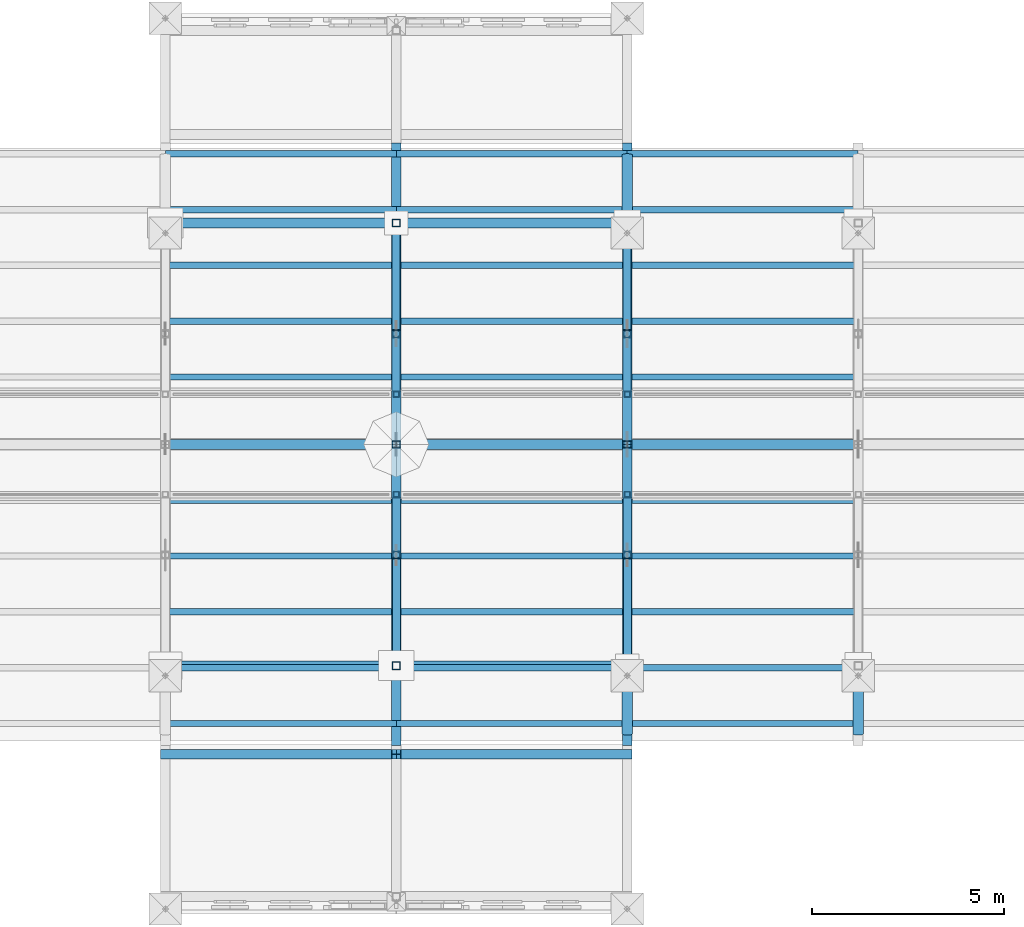
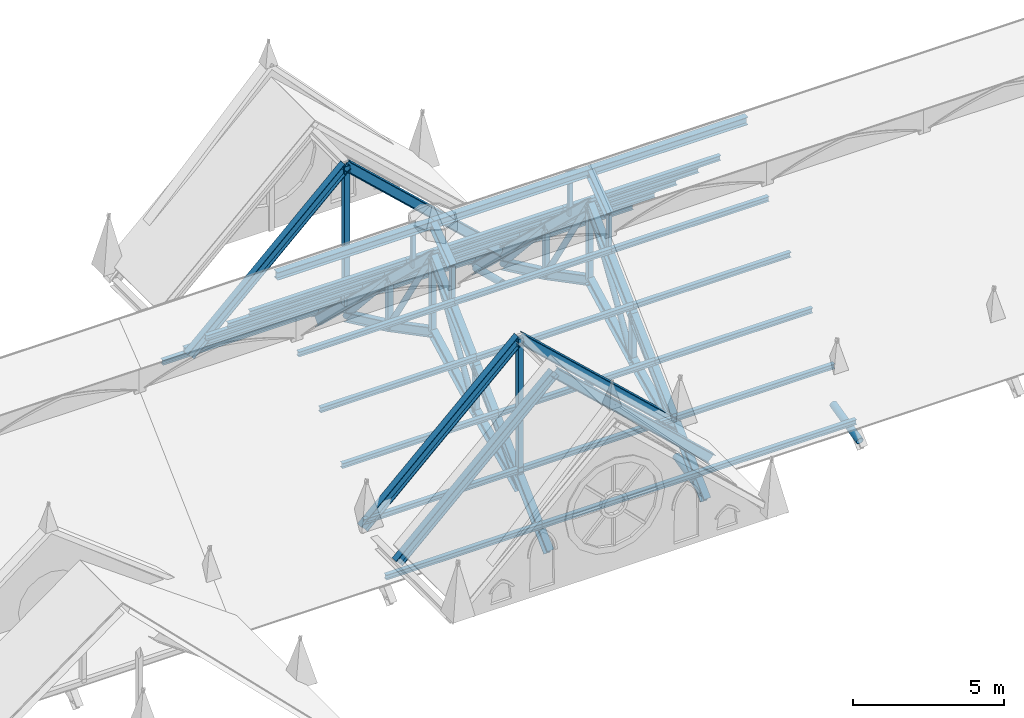
# One storey, part 9 of 33: 82 members.
"""IFC4 building model written with IfcOpenShell, lengths in metres."""

from ifc_helpers import new_model, si_unit, direction, frame, origin, origin_2d, place, context, subcontext, project, spatial, hollow_rectangle, hollow_circle, i_section, extrude, material, material_profile, profile_set, type_object, element, save


model = new_model("IFC4")

# Units and contexts
model_context = context("Model", 3, precision=1e-05, world=origin(), true_north=direction((0.0, 1.0)))
body_context = subcontext(model_context, "Body", "Model", "MODEL_VIEW")
ifc_project = project(units=[si_unit("LENGTHUNIT", "METRE"), si_unit("AREAUNIT", "SQUARE_METRE"), si_unit("VOLUMEUNIT", "CUBIC_METRE"), si_unit("PLANEANGLEUNIT", "RADIAN"), si_unit("MASSUNIT", "GRAM", prefix="KILO")], contexts=[model_context])

# Site, building, storey
site_placement = place(None, origin())
site = spatial("IfcSite", under=ifc_project, at=site_placement, CompositionType="ELEMENT")
building_placement = place(site_placement, origin())
building = spatial("IfcBuilding", under=site, at=building_placement, Name="Cumevento Cable Car Station", CompositionType="ELEMENT")
storey_placement = place(building_placement, frame((0.0, 0.0, 22.5)))
storey = spatial("IfcBuildingStorey", under=building, at=storey_placement, Name="RF", CompositionType="ELEMENT", Elevation=22.5)

# Members
ifc_material_1 = material(Name="Steel ASTM A572 Grade 50", Category="steel")
ifc_material_profile_1 = material_profile(ifc_material_1, hollow_circle(Radius=0.109619140625, WallThickness=0.012451171875, at=origin_2d()), Name="CHS219.1x12.5")
ifc_profile_set_1 = profile_set([ifc_material_profile_1], Name="Steel ASTM A572 Grade 50")
member_type_1 = type_object("IfcMemberType", Name="Framing Brace TD-01 CHS219.1x12.5", PredefinedType="BRACE", material=ifc_profile_set_1)
member_1_placement = place(storey_placement, frame((94.0, 45.0, 0.139892578125), z_axis=(0.0, 0.669655633009, 0.74267175332), x_axis=(-1.0, 0.0, 0.0)))
element("IfcMember", 1, at=member_1_placement, inside=storey, type_object=member_type_1, Name="Boarding Hall Vault Arch Diagonal #133", PredefinedType="BRACE", context=body_context, shape_type="SweptSolid", body=[
    extrude(hollow_circle(Radius=0.109619140625, WallThickness=0.012451171875, at=origin_2d()), origin(), (0.0, 0.0, 1.0), 4.293212890625),
])
member_2_placement = place(storey_placement, frame((94.0, 47.875, 1.489990234375), z_axis=(0.0, 0.532794069711, 0.846244928659), x_axis=(-1.0, 0.0, 0.0)))
element("IfcMember", 2, at=member_2_placement, inside=storey, type_object=member_type_1, Name="Boarding Hall Vault Arch Diagonal #134", PredefinedType="BRACE", context=body_context, shape_type="SweptSolid", body=[
    extrude(hollow_circle(Radius=0.109619140625, WallThickness=0.012451171875, at=origin_2d()), origin(), (0.0, 0.0, 1.0), 5.39599609375),
])
member_3_placement = place(storey_placement, frame((94.0, 56.5, 0.139892578125), z_axis=(0.0, -0.669655633009, 0.74267175332), x_axis=(1.0, 0.0, 0.0)))
element("IfcMember", 3, at=member_3_placement, inside=storey, type_object=member_type_1, Name="Boarding Hall Vault Arch Diagonal #135", PredefinedType="BRACE", context=body_context, shape_type="SweptSolid", body=[
    extrude(hollow_circle(Radius=0.109619140625, WallThickness=0.012451171875, at=origin_2d()), origin(), (0.0, 0.0, 1.0), 4.293212890625),
])
member_4_placement = place(storey_placement, frame((94.0, 53.625, 1.489990234375), z_axis=(0.0, -0.532794069711, 0.846244928659), x_axis=(1.0, 0.0, 0.0)))
element("IfcMember", 4, at=member_4_placement, inside=storey, type_object=member_type_1, Name="Boarding Hall Vault Arch Diagonal #136", PredefinedType="BRACE", context=body_context, shape_type="SweptSolid", body=[
    extrude(hollow_circle(Radius=0.109619140625, WallThickness=0.012451171875, at=origin_2d()), origin(), (0.0, 0.0, 1.0), 5.39599609375),
])
member_5_placement = place(storey_placement, frame((100.0, 45.0, 0.139892578125), z_axis=(0.0, 0.669655633009, 0.74267175332), x_axis=(-1.0, 0.0, 0.0)))
element("IfcMember", 5, at=member_5_placement, inside=storey, type_object=member_type_1, Name="Boarding Hall Vault Arch Diagonal #152", PredefinedType="BRACE", context=body_context, shape_type="SweptSolid", body=[
    extrude(hollow_circle(Radius=0.109619140625, WallThickness=0.012451171875, at=origin_2d()), origin(), (0.0, 0.0, 1.0), 4.293212890625),
])
member_6_placement = place(storey_placement, frame((100.0, 47.875, 1.489990234375), z_axis=(0.0, 0.532794069711, 0.846244928659), x_axis=(-1.0, 0.0, 0.0)))
element("IfcMember", 6, at=member_6_placement, inside=storey, type_object=member_type_1, Name="Boarding Hall Vault Arch Diagonal #153", PredefinedType="BRACE", context=body_context, shape_type="SweptSolid", body=[
    extrude(hollow_circle(Radius=0.109619140625, WallThickness=0.012451171875, at=origin_2d()), origin(), (0.0, 0.0, 1.0), 5.39599609375),
])
member_7_placement = place(storey_placement, frame((100.0, 56.5, 0.139892578125), z_axis=(0.0, -0.669655633009, 0.74267175332), x_axis=(1.0, 0.0, 0.0)))
element("IfcMember", 7, at=member_7_placement, inside=storey, type_object=member_type_1, Name="Boarding Hall Vault Arch Diagonal #154", PredefinedType="BRACE", context=body_context, shape_type="SweptSolid", body=[
    extrude(hollow_circle(Radius=0.109619140625, WallThickness=0.012451171875, at=origin_2d()), origin(), (0.0, 0.0, 1.0), 4.293212890625),
])
member_8_placement = place(storey_placement, frame((100.0, 53.625, 1.489990234375), z_axis=(0.0, -0.532794069711, 0.846244928659), x_axis=(1.0, 0.0, 0.0)))
element("IfcMember", 8, at=member_8_placement, inside=storey, type_object=member_type_1, Name="Boarding Hall Vault Arch Diagonal #155", PredefinedType="BRACE", context=body_context, shape_type="SweptSolid", body=[
    extrude(hollow_circle(Radius=0.109619140625, WallThickness=0.012451171875, at=origin_2d()), origin(), (0.0, 0.0, 1.0), 5.39599609375),
])
ifc_material_2 = material(Name="Steel ASTM A572 Grade 50", Category="steel")
ifc_material_profile_2 = material_profile(ifc_material_2, i_section(OverallWidth=0.257080078125, OverallDepth=0.363037109375, WebThickness=0.012939453125, FlangeThickness=0.021728515625, at=origin_2d()), Name="W360x122.0")
ifc_profile_set_2 = profile_set([ifc_material_profile_2], Name="Steel ASTM A572 Grade 50")
member_type_2 = type_object("IfcMemberType", Name="Framing Chord TC-01 W360x122.0", PredefinedType="CHORD", material=ifc_profile_set_2)
member_9_placement = place(storey_placement, frame((94.0, 43.050048828125, -1.25048828125), z_axis=(0.0, 0.725363131924, 0.688366419028), x_axis=(-1.0, 0.0, 0.0)))
element("IfcMember", 9, at=member_9_placement, inside=storey, type_object=member_type_2, Name="Boarding Hall Vault Lower Rafter S #122", PredefinedType="CHORD", context=body_context, shape_type="SweptSolid", body=[
    extrude(i_section(OverallWidth=0.257080078125, OverallDepth=0.363037109375, WebThickness=0.012939453125, FlangeThickness=0.021728515625, at=origin_2d()), origin(), (0.0, 0.0, 1.0), 6.65185546875),
])
for number, where, z_axis, x_axis, name in (
    (10, (94.0, 47.875, 3.328369140625), (0.0, 0.725405335462, 0.688321944502), (-1.0, 0.0, 0.0), "Boarding Hall Vault Upper Rafter S #123"),
    (11, (94.0, 50.75, 6.056396484375), (0.0, 0.725405335462, -0.688321944502), (-1.0, 0.0, 0.0), "Boarding Hall Vault Upper Rafter N #124"),
):
    element("IfcMember", number, at=place(storey_placement, frame(where, z_axis=z_axis, x_axis=x_axis)), inside=storey, type_object=member_type_2, Name=name, PredefinedType="CHORD", context=body_context, shape_type="SweptSolid", body=[
        extrude(i_section(OverallWidth=0.257080078125, OverallDepth=0.363037109375, WebThickness=0.012939453125, FlangeThickness=0.021728515625, at=origin_2d()), origin(), (0.0, 0.0, 1.0), 3.96337890625),
    ])
for number, where, z_axis, x_axis, name in (
    (12, (94.0, 53.625, 3.328369140625), (0.0, 0.725363131924, -0.688366419028), (-1.0, 0.0, 0.0), "Boarding Hall Vault Lower Rafter N #125"),
    (13, (100.0, 43.050048828125, -1.25048828125), (0.0, 0.725363131924, 0.688366419028), (-1.0, 0.0, 0.0), "Boarding Hall Vault Lower Rafter S #141"),
):
    element("IfcMember", number, at=place(storey_placement, frame(where, z_axis=z_axis, x_axis=x_axis)), inside=storey, type_object=member_type_2, Name=name, PredefinedType="CHORD", context=body_context, shape_type="SweptSolid", body=[
        extrude(i_section(OverallWidth=0.257080078125, OverallDepth=0.363037109375, WebThickness=0.012939453125, FlangeThickness=0.021728515625, at=origin_2d()), origin(), (0.0, 0.0, 1.0), 6.65185546875),
    ])
for number, where, z_axis, x_axis, name in (
    (14, (100.0, 47.875, 3.328369140625), (0.0, 0.725405335462, 0.688321944502), (-1.0, 0.0, 0.0), "Boarding Hall Vault Upper Rafter S #142"),
    (15, (100.0, 50.75, 6.056396484375), (0.0, 0.725405335462, -0.688321944502), (-1.0, 0.0, 0.0), "Boarding Hall Vault Upper Rafter N #143"),
):
    element("IfcMember", number, at=place(storey_placement, frame(where, z_axis=z_axis, x_axis=x_axis)), inside=storey, type_object=member_type_2, Name=name, PredefinedType="CHORD", context=body_context, shape_type="SweptSolid", body=[
        extrude(i_section(OverallWidth=0.257080078125, OverallDepth=0.363037109375, WebThickness=0.012939453125, FlangeThickness=0.021728515625, at=origin_2d()), origin(), (0.0, 0.0, 1.0), 3.96337890625),
    ])
member_10_placement = place(storey_placement, frame((100.0, 53.625, 3.328369140625), z_axis=(0.0, 0.725363131924, -0.688366419028), x_axis=(-1.0, 0.0, 0.0)))
element("IfcMember", 16, at=member_10_placement, inside=storey, type_object=member_type_2, Name="Boarding Hall Vault Lower Rafter N #144", PredefinedType="CHORD", context=body_context, shape_type="SweptSolid", body=[
    extrude(i_section(OverallWidth=0.257080078125, OverallDepth=0.363037109375, WebThickness=0.012939453125, FlangeThickness=0.021728515625, at=origin_2d()), origin(), (0.0, 0.0, 1.0), 6.65185546875),
])
for number, where, z_axis, x_axis, name in (
    (17, (88.0, 56.5, 0.64990234375), (0.731346142864, 0.0, 0.682006465745), (0.0, 1.0, 0.0), "North Uphill Summit Ropeway Cabin Portal Canopy West Rafter #454"),
    (18, (100.0, 56.5, 0.64990234375), (-0.731346142864, 0.0, 0.682006465745), (0.0, -1.0, 0.0), "North Uphill Summit Ropeway Cabin Portal Canopy East Rafter #455"),
    (19, (88.0, 45.0, 0.64990234375), (0.731346142864, 0.0, 0.682006465745), (0.0, 1.0, 0.0), "South Downhill Foothill Ropeway Cabin Portal Canopy West Rafter #475"),
    (20, (100.0, 45.0, 0.64990234375), (-0.731346142864, 0.0, 0.682006465745), (0.0, -1.0, 0.0), "South Downhill Foothill Ropeway Cabin Portal Canopy East Rafter #476"),
    (21, (88.0, 42.699951171875, 0.64990234375), (0.731346142864, 0.0, 0.682006465745), (0.0, 1.0, 0.0), "South Downhill Foothill Ropeway Cabin Portal Canopy West Rafter #477"),
    (22, (100.0, 42.699951171875, 0.64990234375), (-0.731346142864, 0.0, 0.682006465745), (0.0, -1.0, 0.0), "South Downhill Foothill Ropeway Cabin Portal Canopy East Rafter #478"),
):
    element("IfcMember", number, at=place(storey_placement, frame(where, z_axis=z_axis, x_axis=x_axis)), inside=storey, type_object=member_type_2, Name=name, PredefinedType="CHORD", context=body_context, shape_type="SweptSolid", body=[
        extrude(i_section(OverallWidth=0.257080078125, OverallDepth=0.363037109375, WebThickness=0.012939453125, FlangeThickness=0.021728515625, at=origin_2d()), origin(), (0.0, 0.0, 1.0), 8.2041015625),
    ])
ifc_material_3 = material(Name="Steel ASTM A572 Grade 50", Category="steel")
ifc_material_profile_3 = material_profile(ifc_material_3, i_section(OverallWidth=0.2548828125, OverallDepth=0.35693359375, WebThickness=0.010498046875, FlangeThickness=0.018310546875, at=origin_2d()), Name="W360x101.0")
ifc_profile_set_3 = profile_set([ifc_material_profile_3], Name="Steel ASTM A572 Grade 50")
member_type_3 = type_object("IfcMemberType", Name="Framing Chord TC-02 W360x101.0", PredefinedType="CHORD", material=ifc_profile_set_3)
member_11_placement = place(storey_placement, frame((94.0, 45.0, 0.139892578125), z_axis=(0.0, 0.905163318391, 0.425063956411), x_axis=(-1.0, 0.0, 0.0)))
element("IfcMember", 23, at=member_11_placement, inside=storey, type_object=member_type_3, Name="Boarding Hall Pointed-Arch Bottom Chord #118", PredefinedType="CHORD", context=body_context, shape_type="SweptSolid", body=[
    extrude(i_section(OverallWidth=0.2548828125, OverallDepth=0.35693359375, WebThickness=0.010498046875, FlangeThickness=0.018310546875, at=origin_2d()), origin(), (0.0, 0.0, 1.0), 3.17626953125),
])
for number, where, z_axis, x_axis, name in (
    (24, (94.0, 47.875, 1.489990234375), (0.0, 0.886584846165, 0.462566006695), (-1.0, 0.0, 0.0), "Boarding Hall Pointed-Arch Bottom Chord #119"),
    (25, (94.0, 50.75, 2.989990234375), (0.0, 0.886584846165, -0.462566006695), (-1.0, 0.0, 0.0), "Boarding Hall Pointed-Arch Bottom Chord #120"),
):
    element("IfcMember", number, at=place(storey_placement, frame(where, z_axis=z_axis, x_axis=x_axis)), inside=storey, type_object=member_type_3, Name=name, PredefinedType="CHORD", context=body_context, shape_type="SweptSolid", body=[
        extrude(i_section(OverallWidth=0.2548828125, OverallDepth=0.35693359375, WebThickness=0.010498046875, FlangeThickness=0.018310546875, at=origin_2d()), origin(), (0.0, 0.0, 1.0), 3.24267578125),
    ])
for number, where, z_axis, x_axis, name in (
    (26, (94.0, 53.625, 1.489990234375), (0.0, 0.905163318391, -0.425063956411), (-1.0, 0.0, 0.0), "Boarding Hall Pointed-Arch Bottom Chord #121"),
    (27, (100.0, 45.0, 0.139892578125), (0.0, 0.905163318391, 0.425063956411), (-1.0, 0.0, 0.0), "Boarding Hall Pointed-Arch Bottom Chord #137"),
):
    element("IfcMember", number, at=place(storey_placement, frame(where, z_axis=z_axis, x_axis=x_axis)), inside=storey, type_object=member_type_3, Name=name, PredefinedType="CHORD", context=body_context, shape_type="SweptSolid", body=[
        extrude(i_section(OverallWidth=0.2548828125, OverallDepth=0.35693359375, WebThickness=0.010498046875, FlangeThickness=0.018310546875, at=origin_2d()), origin(), (0.0, 0.0, 1.0), 3.17626953125),
    ])
for number, where, z_axis, x_axis, name in (
    (28, (100.0, 47.875, 1.489990234375), (0.0, 0.886584846165, 0.462566006695), (-1.0, 0.0, 0.0), "Boarding Hall Pointed-Arch Bottom Chord #138"),
    (29, (100.0, 50.75, 2.989990234375), (0.0, 0.886584846165, -0.462566006695), (-1.0, 0.0, 0.0), "Boarding Hall Pointed-Arch Bottom Chord #139"),
):
    element("IfcMember", number, at=place(storey_placement, frame(where, z_axis=z_axis, x_axis=x_axis)), inside=storey, type_object=member_type_3, Name=name, PredefinedType="CHORD", context=body_context, shape_type="SweptSolid", body=[
        extrude(i_section(OverallWidth=0.2548828125, OverallDepth=0.35693359375, WebThickness=0.010498046875, FlangeThickness=0.018310546875, at=origin_2d()), origin(), (0.0, 0.0, 1.0), 3.24267578125),
    ])
member_12_placement = place(storey_placement, frame((100.0, 53.625, 1.489990234375), z_axis=(0.0, 0.905163318391, -0.425063956411), x_axis=(-1.0, 0.0, 0.0)))
element("IfcMember", 30, at=member_12_placement, inside=storey, type_object=member_type_3, Name="Boarding Hall Pointed-Arch Bottom Chord #140", PredefinedType="CHORD", context=body_context, shape_type="SweptSolid", body=[
    extrude(i_section(OverallWidth=0.2548828125, OverallDepth=0.35693359375, WebThickness=0.010498046875, FlangeThickness=0.018310546875, at=origin_2d()), origin(), (0.0, 0.0, 1.0), 3.17626953125),
])
ifc_material_4 = material(Name="Steel ASTM A572 Grade 50", Category="steel")
ifc_material_profile_4 = material_profile(ifc_material_4, i_section(OverallWidth=0.25390625, OverallDepth=0.305908203125, WebThickness=0.0087890625, FlangeThickness=0.0146484375, at=origin_2d()), Name="W310x79.0")
ifc_profile_set_4 = profile_set([ifc_material_profile_4], Name="Steel ASTM A572 Grade 50")
member_type_4 = type_object("IfcMemberType", Name="Framing Chord TC-03 W310x79.0", PredefinedType="CHORD", material=ifc_profile_set_4)
for number, where, z_axis, x_axis, name in (
    (31, (94.0, 49.449951171875, 6.419921875), (0.0, 0.804455479385, 0.594012947407), (-1.0, 0.0, 0.0), "Boarding Hall Lantern Pointed Rafter #127"),
    (32, (94.0, 52.050048828125, 6.419921875), (0.0, -0.804455479385, 0.594012947407), (1.0, 0.0, 0.0), "Boarding Hall Lantern Pointed Rafter #129"),
    (33, (100.0, 49.449951171875, 6.419921875), (0.0, 0.804455479385, 0.594012947407), (-1.0, 0.0, 0.0), "Boarding Hall Lantern Pointed Rafter #146"),
    (34, (100.0, 52.050048828125, 6.419921875), (0.0, -0.804455479385, 0.594012947407), (1.0, 0.0, 0.0), "Boarding Hall Lantern Pointed Rafter #148"),
):
    element("IfcMember", number, at=place(storey_placement, frame(where, z_axis=z_axis, x_axis=x_axis)), inside=storey, type_object=member_type_4, Name=name, PredefinedType="CHORD", context=body_context, shape_type="SweptSolid", body=[
        extrude(i_section(OverallWidth=0.25390625, OverallDepth=0.305908203125, WebThickness=0.0087890625, FlangeThickness=0.0146484375, at=origin_2d()), origin(), (0.0, 0.0, 1.0), 1.615966796875),
    ])
for number, where, z_axis, x_axis, name in (
    (35, (88.0, 50.75, 7.3798828125), (1.0, 0.0, 0.0), (0.0, 1.0, 0.0), "Boarding Hall Lantern Ridge Beam #287"),
    (36, (94.0, 50.75, 7.3798828125), (1.0, 0.0, 0.0), (0.0, 1.0, 0.0), "Boarding Hall Lantern Ridge Beam #298"),
    (37, (100.0, 50.75, 7.3798828125), (1.0, 0.0, 0.0), (0.0, 1.0, 0.0), "Boarding Hall Lantern Ridge Beam #309"),
):
    element("IfcMember", number, at=place(storey_placement, frame(where, z_axis=z_axis, x_axis=x_axis)), inside=storey, type_object=member_type_4, Name=name, PredefinedType="CHORD", context=body_context, shape_type="SweptSolid", body=[
        extrude(i_section(OverallWidth=0.25390625, OverallDepth=0.305908203125, WebThickness=0.0087890625, FlangeThickness=0.0146484375, at=origin_2d()), origin(), (0.0, 0.0, 1.0), 6.0),
    ])
ifc_material_5 = material(Name="Steel ASTM A572 Grade 50", Category="steel")
ifc_material_profile_5 = material_profile(ifc_material_5, hollow_rectangle(XDim=0.199951171875, YDim=0.199951171875, WallThickness=0.012451171875, at=origin_2d()), Name="HSS200x200x12.5")
ifc_profile_set_5 = profile_set([ifc_material_profile_5], Name="Steel ASTM A572 Grade 50")
member_type_5 = type_object("IfcMemberType", Name="Framing Post TD-03 HSS200x200x12.5", PredefinedType="POST", material=ifc_profile_set_5)
member_13_placement = place(storey_placement, frame((94.0, 47.875, 1.489990234375), z_axis=(0.0, 0.0, 1.0), x_axis=(1.0, 0.0, 0.0)))
element("IfcMember", 38, at=member_13_placement, inside=storey, type_object=member_type_5, Name="Boarding Hall Truss Web Vertical #130", PredefinedType="POST", context=body_context, shape_type="SweptSolid", body=[
    extrude(hollow_rectangle(XDim=0.199951171875, YDim=0.199951171875, WallThickness=0.012451171875, at=origin_2d()), origin(), (0.0, 0.0, 1.0), 1.83837890625),
])
member_14_placement = place(storey_placement, frame((94.0, 50.75, 2.989990234375), z_axis=(0.0, 0.0, 1.0), x_axis=(1.0, 0.0, 0.0)))
element("IfcMember", 39, at=member_14_placement, inside=storey, type_object=member_type_5, Name="Boarding Hall Truss Web Vertical #131", PredefinedType="POST", context=body_context, shape_type="SweptSolid", body=[
    extrude(hollow_rectangle(XDim=0.199951171875, YDim=0.199951171875, WallThickness=0.012451171875, at=origin_2d()), origin(), (0.0, 0.0, 1.0), 3.06640625),
])
for number, where, z_axis, x_axis, name in (
    (40, (94.0, 53.625, 1.489990234375), (0.0, 0.0, 1.0), (1.0, 0.0, 0.0), "Boarding Hall Truss Web Vertical #132"),
    (41, (100.0, 47.875, 1.489990234375), (0.0, 0.0, 1.0), (1.0, 0.0, 0.0), "Boarding Hall Truss Web Vertical #149"),
):
    element("IfcMember", number, at=place(storey_placement, frame(where, z_axis=z_axis, x_axis=x_axis)), inside=storey, type_object=member_type_5, Name=name, PredefinedType="POST", context=body_context, shape_type="SweptSolid", body=[
        extrude(hollow_rectangle(XDim=0.199951171875, YDim=0.199951171875, WallThickness=0.012451171875, at=origin_2d()), origin(), (0.0, 0.0, 1.0), 1.83837890625),
    ])
member_15_placement = place(storey_placement, frame((100.0, 50.75, 2.989990234375), z_axis=(0.0, 0.0, 1.0), x_axis=(1.0, 0.0, 0.0)))
element("IfcMember", 42, at=member_15_placement, inside=storey, type_object=member_type_5, Name="Boarding Hall Truss Web Vertical #150", PredefinedType="POST", context=body_context, shape_type="SweptSolid", body=[
    extrude(hollow_rectangle(XDim=0.199951171875, YDim=0.199951171875, WallThickness=0.012451171875, at=origin_2d()), origin(), (0.0, 0.0, 1.0), 3.06640625),
])
member_16_placement = place(storey_placement, frame((100.0, 53.625, 1.489990234375), z_axis=(0.0, 0.0, 1.0), x_axis=(1.0, 0.0, 0.0)))
element("IfcMember", 43, at=member_16_placement, inside=storey, type_object=member_type_5, Name="Boarding Hall Truss Web Vertical #151", PredefinedType="POST", context=body_context, shape_type="SweptSolid", body=[
    extrude(hollow_rectangle(XDim=0.199951171875, YDim=0.199951171875, WallThickness=0.012451171875, at=origin_2d()), origin(), (0.0, 0.0, 1.0), 1.83837890625),
])
for number, where, z_axis, x_axis, name in (
    (44, (94.0, 56.5, 0.60009765625), (0.0, 0.0, 1.0), (1.0, 0.0, 0.0), "North Uphill Summit Ropeway Cabin Portal Canopy Kingpost #453"),
    (45, (94.0, 45.0, 0.60009765625), (0.0, 0.0, 1.0), (1.0, 0.0, 0.0), "South Downhill Foothill Ropeway Cabin Portal Canopy Kingpost #474"),
):
    element("IfcMember", number, at=place(storey_placement, frame(where, z_axis=z_axis, x_axis=x_axis)), inside=storey, type_object=member_type_5, Name=name, PredefinedType="POST", context=body_context, shape_type="SweptSolid", body=[
        extrude(hollow_rectangle(XDim=0.199951171875, YDim=0.199951171875, WallThickness=0.012451171875, at=origin_2d()), origin(), (0.0, 0.0, 1.0), 5.64501953125),
    ])
ifc_material_6 = material(Name="Steel ASTM A572 Grade 50", Category="steel")
ifc_material_profile_6 = material_profile(ifc_material_6, hollow_rectangle(XDim=0.14990234375, YDim=0.14990234375, WallThickness=0.010009765625, at=origin_2d()), Name="HSS150x150x10.0")
ifc_profile_set_6 = profile_set([ifc_material_profile_6], Name="Steel ASTM A572 Grade 50")
member_type_6 = type_object("IfcMemberType", Name="Framing Post TD-04 HSS150x150x10.0", PredefinedType="POST", material=ifc_profile_set_6)
for number, where, z_axis, x_axis, name in (
    (46, (94.0, 49.449951171875, 4.822998046875), (0.0, 0.0, 1.0), (1.0, 0.0, 0.0), "Boarding Hall Lantern Clerestory Post #126"),
    (47, (94.0, 52.050048828125, 4.822998046875), (0.0, 0.0, 1.0), (1.0, 0.0, 0.0), "Boarding Hall Lantern Clerestory Post #128"),
    (48, (100.0, 49.449951171875, 4.822998046875), (0.0, 0.0, 1.0), (1.0, 0.0, 0.0), "Boarding Hall Lantern Clerestory Post #145"),
    (49, (100.0, 52.050048828125, 4.822998046875), (0.0, 0.0, 1.0), (1.0, 0.0, 0.0), "Boarding Hall Lantern Clerestory Post #147"),
):
    element("IfcMember", number, at=place(storey_placement, frame(where, z_axis=z_axis, x_axis=x_axis)), inside=storey, type_object=member_type_6, Name=name, PredefinedType="POST", context=body_context, shape_type="SweptSolid", body=[
        extrude(hollow_rectangle(XDim=0.14990234375, YDim=0.14990234375, WallThickness=0.010009765625, at=origin_2d()), origin(), (0.0, 0.0, 1.0), 1.596923828125),
    ])
ifc_material_7 = material(Name="Steel ASTM A572 Grade 50", Category="steel")
ifc_material_profile_7 = material_profile(ifc_material_7, i_section(OverallWidth=0.1650390625, OverallDepth=0.200927734375, WebThickness=0.006103515625, FlangeThickness=0.01025390625, at=origin_2d()), Name="W200x35.9")
ifc_profile_set_7 = profile_set([ifc_material_profile_7], Name="Steel ASTM A572 Grade 50")
member_type_7 = type_object("IfcMemberType", Name="Framing Purlin PR-01 W200x35.9", PredefinedType="PURLIN", material=ifc_profile_set_7)
for number, where, z_axis, x_axis, name in (
    (50, (88.0, 43.5, -0.427734375), (1.0, 0.0, 0.0), (0.0, 1.0, 0.0), "Boarding Hall Vault Purlin #277"),
    (51, (88.0, 44.949951171875, 0.9482421875), (1.0, 0.0, 0.0), (0.0, 1.0, 0.0), "Boarding Hall Vault Purlin #278"),
    (52, (88.0, 46.39990234375, 2.32421875), (1.0, 0.0, 0.0), (0.0, 1.0, 0.0), "Boarding Hall Vault Purlin #279"),
    (53, (88.0, 47.85009765625, 3.7001953125), (1.0, 0.0, 0.0), (0.0, 1.0, 0.0), "Boarding Hall Vault Purlin #280"),
    (54, (88.0, 49.300048828125, 5.076171875), (1.0, 0.0, 0.0), (0.0, 1.0, 0.0), "Boarding Hall Vault Purlin #281"),
    (55, (88.0, 52.5, 4.79150390625), (1.0, 0.0, 0.0), (0.0, 1.0, 0.0), "Boarding Hall Vault Purlin #282"),
    (56, (88.0, 53.949951171875, 3.41552734375), (1.0, 0.0, 0.0), (0.0, 1.0, 0.0), "Boarding Hall Vault Purlin #283"),
    (57, (88.0, 55.39990234375, 2.03955078125), (1.0, 0.0, 0.0), (0.0, 1.0, 0.0), "Boarding Hall Vault Purlin #284"),
    (58, (88.0, 56.85009765625, 0.66357421875), (1.0, 0.0, 0.0), (0.0, 1.0, 0.0), "Boarding Hall Vault Purlin #285"),
    (59, (88.0, 58.300048828125, -0.71240234375), (1.0, 0.0, 0.0), (0.0, 1.0, 0.0), "Boarding Hall Vault Purlin #286"),
    (60, (94.0, 43.5, -0.427734375), (1.0, 0.0, 0.0), (0.0, 1.0, 0.0), "Boarding Hall Vault Purlin #288"),
    (61, (94.0, 44.949951171875, 0.9482421875), (1.0, 0.0, 0.0), (0.0, 1.0, 0.0), "Boarding Hall Vault Purlin #289"),
    (62, (94.0, 46.39990234375, 2.32421875), (1.0, 0.0, 0.0), (0.0, 1.0, 0.0), "Boarding Hall Vault Purlin #290"),
    (63, (94.0, 47.85009765625, 3.7001953125), (1.0, 0.0, 0.0), (0.0, 1.0, 0.0), "Boarding Hall Vault Purlin #291"),
    (64, (94.0, 49.300048828125, 5.076171875), (1.0, 0.0, 0.0), (0.0, 1.0, 0.0), "Boarding Hall Vault Purlin #292"),
    (65, (94.0, 52.5, 4.79150390625), (1.0, 0.0, 0.0), (0.0, 1.0, 0.0), "Boarding Hall Vault Purlin #293"),
    (66, (94.0, 53.949951171875, 3.41552734375), (1.0, 0.0, 0.0), (0.0, 1.0, 0.0), "Boarding Hall Vault Purlin #294"),
    (67, (94.0, 55.39990234375, 2.03955078125), (1.0, 0.0, 0.0), (0.0, 1.0, 0.0), "Boarding Hall Vault Purlin #295"),
    (68, (94.0, 56.85009765625, 0.66357421875), (1.0, 0.0, 0.0), (0.0, 1.0, 0.0), "Boarding Hall Vault Purlin #296"),
    (69, (94.0, 58.300048828125, -0.71240234375), (1.0, 0.0, 0.0), (0.0, 1.0, 0.0), "Boarding Hall Vault Purlin #297"),
    (70, (100.0, 43.5, -0.427734375), (1.0, 0.0, 0.0), (0.0, 1.0, 0.0), "Boarding Hall Vault Purlin #299"),
    (71, (100.0, 44.949951171875, 0.9482421875), (1.0, 0.0, 0.0), (0.0, 1.0, 0.0), "Boarding Hall Vault Purlin #300"),
    (72, (100.0, 46.39990234375, 2.32421875), (1.0, 0.0, 0.0), (0.0, 1.0, 0.0), "Boarding Hall Vault Purlin #301"),
    (73, (100.0, 47.85009765625, 3.7001953125), (1.0, 0.0, 0.0), (0.0, 1.0, 0.0), "Boarding Hall Vault Purlin #302"),
    (74, (100.0, 49.300048828125, 5.076171875), (1.0, 0.0, 0.0), (0.0, 1.0, 0.0), "Boarding Hall Vault Purlin #303"),
    (75, (100.0, 52.5, 4.79150390625), (1.0, 0.0, 0.0), (0.0, 1.0, 0.0), "Boarding Hall Vault Purlin #304"),
    (76, (100.0, 53.949951171875, 3.41552734375), (1.0, 0.0, 0.0), (0.0, 1.0, 0.0), "Boarding Hall Vault Purlin #305"),
    (77, (100.0, 55.39990234375, 2.03955078125), (1.0, 0.0, 0.0), (0.0, 1.0, 0.0), "Boarding Hall Vault Purlin #306"),
    (78, (100.0, 56.85009765625, 0.66357421875), (1.0, 0.0, 0.0), (0.0, 1.0, 0.0), "Boarding Hall Vault Purlin #307"),
    (79, (100.0, 58.300048828125, -0.71240234375), (1.0, 0.0, 0.0), (0.0, 1.0, 0.0), "Boarding Hall Vault Purlin #308"),
):
    element("IfcMember", number, at=place(storey_placement, frame(where, z_axis=z_axis, x_axis=x_axis)), inside=storey, type_object=member_type_7, Name=name, PredefinedType="PURLIN", context=body_context, shape_type="SweptSolid", body=[
        extrude(i_section(OverallWidth=0.1650390625, OverallDepth=0.200927734375, WebThickness=0.006103515625, FlangeThickness=0.01025390625, at=origin_2d()), origin(), (0.0, 0.0, 1.0), 6.0),
    ])
ifc_material_8 = material(Name="Steel ASTM A572 Grade 50", Category="steel")
ifc_material_profile_8 = material_profile(ifc_material_8, hollow_circle(Radius=0.136474609375, WallThickness=0.012451171875, at=origin_2d()), Name="CHS273.0x12.5")
ifc_profile_set_8 = profile_set([ifc_material_profile_8], Name="Steel ASTM A572 Grade 50")
member_type_8 = type_object("IfcMemberType", Name="Framing Strut BR-04 CHS273.0x12.5", PredefinedType="STRUT", material=ifc_profile_set_8)
for number, where, z_axis, x_axis, name in (
    (80, (100.0, 45.0, -0.64990234375), (0.0, -0.971775656246, -0.23590691793), (1.0, 0.0, 0.0), "Boarding Hall Vault Arch Diagonal #156"),
    (81, (100.0, 56.5, -0.64990234375), (0.0, 0.971775656246, -0.23590691793), (-1.0, 0.0, 0.0), "Boarding Hall Vault Arch Diagonal #157"),
    (82, (106.0, 45.0, -0.64990234375), (0.0, -0.971775656246, -0.23590691793), (1.0, 0.0, 0.0), "Boarding Hall Vault Arch Diagonal #179"),
):
    element("IfcMember", number, at=place(storey_placement, frame(where, z_axis=z_axis, x_axis=x_axis)), inside=storey, type_object=member_type_8, Name=name, PredefinedType="STRUT", context=body_context, shape_type="SweptSolid", body=[
        extrude(hollow_circle(Radius=0.136474609375, WallThickness=0.012451171875, at=origin_2d()), origin(), (0.0, 0.0, 1.0), 1.821533203125),
    ])

save(model, "model.ifc")
